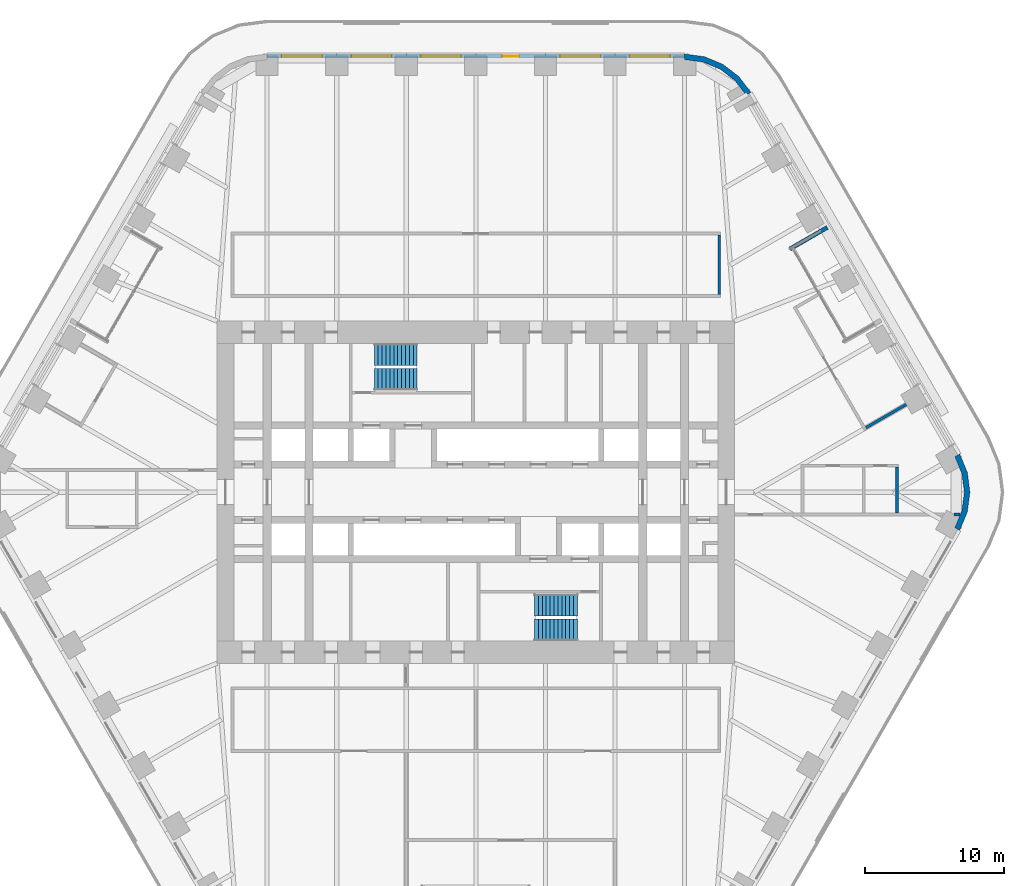
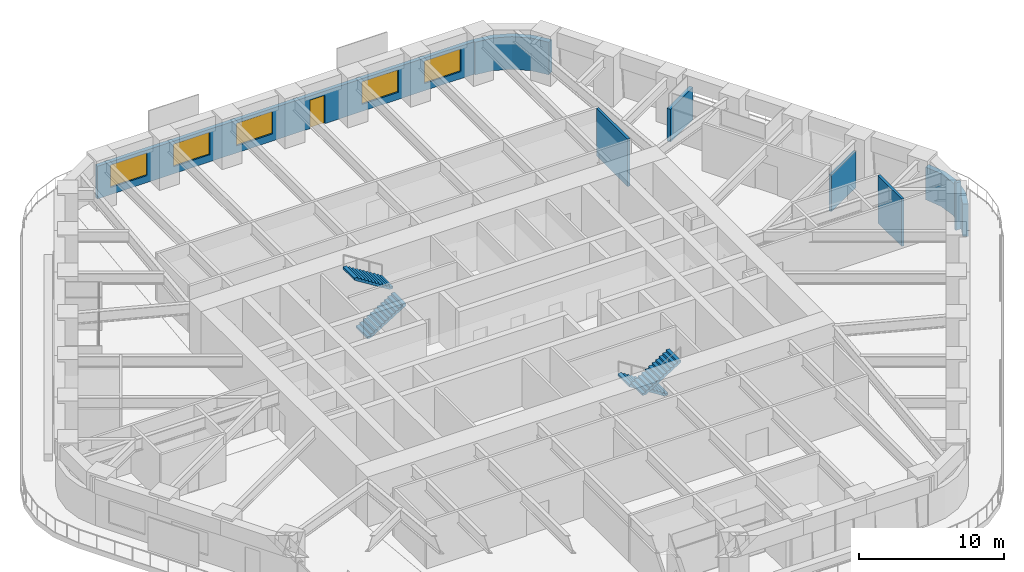
# One storey, part 21 of 24: 8 walls, 5 windows, 4 stair flights, 1 door, 6 openings, 2 elements without a shape of their own.
"""IFC4 building model written with IfcOpenShell, lengths in metres."""

from ifc_helpers import new_model, si_unit, direction, frame, frame_2d, origin, place, context, subcontext, project, spatial, polyline, rectangle, outline, extrude, material, layer, layer_set, type_object, element, fill, aggregate, save


model = new_model("IFC4")

# Units and contexts
model_context = context("Model", 3, precision=1e-05, world=origin(), true_north=direction((0.0, 1.0)))
body_context = subcontext(model_context, "Body", "Model", "MODEL_VIEW")
ifc_project = project(units=[si_unit("LENGTHUNIT", "METRE"), si_unit("AREAUNIT", "SQUARE_METRE"), si_unit("VOLUMEUNIT", "CUBIC_METRE"), si_unit("PLANEANGLEUNIT", "RADIAN"), si_unit("MASSUNIT", "GRAM", prefix="KILO")], contexts=[model_context])

# Site, building, storey
site_placement = place(None, origin())
site = spatial("IfcSite", under=ifc_project, at=site_placement, CompositionType="ELEMENT")
building_placement = place(site_placement, origin())
building = spatial("IfcBuilding", under=site, at=building_placement, Name="Tarfa Lantern Tower", CompositionType="ELEMENT")
storey_placement = place(building_placement, frame((0.0, 0.0, 178.300048828125)))
storey = spatial("IfcBuildingStorey", under=building, at=storey_placement, Name="L40", CompositionType="ELEMENT", Elevation=178.300048828125)

# Wall
ifc_material_1 = material(Name="Limestone cladding on blockwork", Category="masonry")
ifc_layer_1 = layer(ifc_material_1, 0.300048828125)
ifc_layer_set_1 = layer_set([ifc_layer_1], Name="EW1 STONE-CLAD WALL 300")
wall_type_1 = type_object("IfcWallType", Name="EW1 STONE-CLAD WALL 300", PredefinedType="SOLIDWALL", material=ifc_layer_set_1)
wall_1_placement = place(storey_placement, frame((25.266357421875, 19.037353515625, 0.0), z_axis=(0.0, 0.0, 1.0), x_axis=(-0.86600983753, -0.500026960575, 0.0)))
element("IfcWall", 1, at=wall_1_placement, inside=storey, type_object=wall_type_1, Name="Loggia return NE 2", PredefinedType="SOLIDWALL", context=body_context, shape_type="SweptSolid", body=[
    extrude(rectangle(XDim=3.099853515625, YDim=0.300048828125, at=frame_2d((1.5498046875, 0.0))), origin(), (0.0, 0.0, 1.0), 2.75),
])

# Wall, openings, door, windows
wall_2_placement = place(storey_placement, frame((15.010986328125, 31.35009765625, 0.0), z_axis=(0.0, 0.0, 1.0), x_axis=(-1.0, 0.0, 0.0)))
wall_2 = element("IfcWall", 2, at=wall_2_placement, inside=storey, type_object=wall_type_1, Name="Stone wall N", PredefinedType="SOLIDWALL", context=body_context, shape_type="SweptSolid", body=[
    extrude(rectangle(XDim=30.02197265625, YDim=0.300048828125, at=frame_2d((15.010986328125, 0.0))), origin(), (0.0, 0.0, 1.0), 2.75),
])
opening_1_placement = place(wall_2_placement, frame((1.0517578125, 0.0, 0.60009765625)))
opening_1 = element("IfcOpeningElement", 3, at=opening_1_placement, cuts=wall_2, Name="Opening W9", PredefinedType="OPENING", context=body_context, shape_type="SweptSolid", body=[
    extrude(rectangle(XDim=2.89990234375, YDim=1.89990234375, at=frame_2d((1.449951171875, 0.949951171875))), frame((0.0, 0.159912109375, 0.0), z_axis=(0.0, -1.0, 0.0), x_axis=(1.0, 0.0, 0.0)), (0.0, 0.0, 1.0), 0.320068359375),
])
opening_2_placement = place(wall_2_placement, frame((6.0556640625, 0.0, 0.60009765625)))
opening_2 = element("IfcOpeningElement", 4, at=opening_2_placement, cuts=wall_2, Name="Opening W9", PredefinedType="OPENING", context=body_context, shape_type="SweptSolid", body=[
    extrude(rectangle(XDim=2.89990234375, YDim=1.89990234375, at=frame_2d((1.449951171875, 0.949951171875))), frame((0.0, 0.159912109375, 0.0), z_axis=(0.0, -1.0, 0.0), x_axis=(1.0, 0.0, 0.0)), (0.0, 0.0, 1.0), 0.320068359375),
])
opening_3_placement = place(wall_2_placement, frame((11.9091796875, 0.0, 0.0)))
opening_3 = element("IfcOpeningElement", 5, at=opening_3_placement, cuts=wall_2, Name="Opening D45", PredefinedType="OPENING", context=body_context, shape_type="SweptSolid", body=[
    extrude(rectangle(XDim=1.199951171875, YDim=2.39990234375, at=frame_2d((0.60009765625, 1.199951171875))), frame((0.0, 0.159912109375, 0.0), z_axis=(0.0, -1.0, 0.0), x_axis=(1.0, 0.0, 0.0)), (0.0, 0.0, 1.0), 0.320068359375),
])
opening_4_placement = place(wall_2_placement, frame((16.06298828125, 0.0, 0.60009765625)))
opening_4 = element("IfcOpeningElement", 6, at=opening_4_placement, cuts=wall_2, Name="Opening W9", PredefinedType="OPENING", context=body_context, shape_type="SweptSolid", body=[
    extrude(rectangle(XDim=2.89990234375, YDim=1.89990234375, at=frame_2d((1.449951171875, 0.949951171875))), frame((0.0, 0.159912109375, 0.0), z_axis=(0.0, -1.0, 0.0), x_axis=(1.0, 0.0, 0.0)), (0.0, 0.0, 1.0), 0.320068359375),
])
opening_5_placement = place(wall_2_placement, frame((21.066650390625, 0.0, 0.60009765625)))
opening_5 = element("IfcOpeningElement", 7, at=opening_5_placement, cuts=wall_2, Name="Opening W9", PredefinedType="OPENING", context=body_context, shape_type="SweptSolid", body=[
    extrude(rectangle(XDim=2.89990234375, YDim=1.89990234375, at=frame_2d((1.449951171875, 0.949951171875))), frame((0.0, 0.159912109375, 0.0), z_axis=(0.0, -1.0, 0.0), x_axis=(1.0, 0.0, 0.0)), (0.0, 0.0, 1.0), 0.320068359375),
])
opening_6_placement = place(wall_2_placement, frame((26.0703125, 0.0, 0.60009765625)))
opening_6 = element("IfcOpeningElement", 8, at=opening_6_placement, cuts=wall_2, Name="Opening W9", PredefinedType="OPENING", context=body_context, shape_type="SweptSolid", body=[
    extrude(rectangle(XDim=2.89990234375, YDim=1.89990234375, at=frame_2d((1.449951171875, 0.949951171875))), frame((0.0, 0.159912109375, 0.0), z_axis=(0.0, -1.0, 0.0), x_axis=(1.0, 0.0, 0.0)), (0.0, 0.0, 1.0), 0.320068359375),
])
ifc_material_2 = material(Name="Aluminium framed glazed door", Category="aluminium")
door_type = type_object("IfcDoorType", Name="BE3 BALCONY DOOR 1200x2400", OperationType="SINGLE_SWING_RIGHT", PredefinedType="DOOR", material=ifc_material_2)
door_placement = place(opening_3_placement, origin())
door = element("IfcDoor", 9, at=door_placement, inside=storey, type_object=door_type, Name="Balcony door N", OperationType="SINGLE_SWING_RIGHT", OverallHeight=2.39990234375, OverallWidth=1.199951171875, PredefinedType="DOOR", context=body_context, shape_type="SweptSolid", body=[
    extrude(rectangle(XDim=1.199951171875, YDim=2.39990234375, at=frame_2d((0.60009765625, 1.199951171875))), frame((0.0, 0.02490234375, 0.0), z_axis=(0.0, -1.0, 0.0), x_axis=(1.0, 0.0, 0.0)), (0.0, 0.0, 1.0), 0.050048828125),
])
fill(opening_3, door)
ifc_material_3 = material(Name="Aluminium frame, double glazed", Category="aluminium")
window_type = type_object("IfcWindowType", Name="W9 FULL-HEIGHT GLAZING 2900x1900", PartitioningType="SINGLE_PANEL", PredefinedType="WINDOW", material=ifc_material_3)
window_1_placement = place(opening_1_placement, origin())
window_1 = element("IfcWindow", 10, at=window_1_placement, inside=storey, type_object=window_type, Name="Window N 1", OverallHeight=1.89990234375, OverallWidth=2.89990234375, PartitioningType="SINGLE_PANEL", PredefinedType="WINDOW", context=body_context, shape_type="SweptSolid", body=[
    extrude(rectangle(XDim=2.89990234375, YDim=1.89990234375, at=frame_2d((1.449951171875, 0.949951171875))), frame((0.0, 0.030029296875, 0.0), z_axis=(0.0, -1.0, 0.0), x_axis=(1.0, 0.0, 0.0)), (0.0, 0.0, 1.0), 0.06005859375),
])
fill(opening_1, window_1)
window_2_placement = place(opening_2_placement, origin())
window_2 = element("IfcWindow", 11, at=window_2_placement, inside=storey, type_object=window_type, Name="Window N 2", OverallHeight=1.89990234375, OverallWidth=2.89990234375, PartitioningType="SINGLE_PANEL", PredefinedType="WINDOW", context=body_context, shape_type="SweptSolid", body=[
    extrude(rectangle(XDim=2.89990234375, YDim=1.89990234375, at=frame_2d((1.449951171875, 0.949951171875))), frame((0.0, 0.030029296875, 0.0), z_axis=(0.0, -1.0, 0.0), x_axis=(1.0, 0.0, 0.0)), (0.0, 0.0, 1.0), 0.06005859375),
])
fill(opening_2, window_2)
window_3_placement = place(opening_4_placement, origin())
window_3 = element("IfcWindow", 12, at=window_3_placement, inside=storey, type_object=window_type, Name="Window N 4", OverallHeight=1.89990234375, OverallWidth=2.89990234375, PartitioningType="SINGLE_PANEL", PredefinedType="WINDOW", context=body_context, shape_type="SweptSolid", body=[
    extrude(rectangle(XDim=2.89990234375, YDim=1.89990234375, at=frame_2d((1.449951171875, 0.949951171875))), frame((0.0, 0.030029296875, 0.0), z_axis=(0.0, -1.0, 0.0), x_axis=(1.0, 0.0, 0.0)), (0.0, 0.0, 1.0), 0.06005859375),
])
fill(opening_4, window_3)
window_4_placement = place(opening_5_placement, origin())
window_4 = element("IfcWindow", 13, at=window_4_placement, inside=storey, type_object=window_type, Name="Window N 5", OverallHeight=1.89990234375, OverallWidth=2.89990234375, PartitioningType="SINGLE_PANEL", PredefinedType="WINDOW", context=body_context, shape_type="SweptSolid", body=[
    extrude(rectangle(XDim=2.89990234375, YDim=1.89990234375, at=frame_2d((1.449951171875, 0.949951171875))), frame((0.0, 0.030029296875, 0.0), z_axis=(0.0, -1.0, 0.0), x_axis=(1.0, 0.0, 0.0)), (0.0, 0.0, 1.0), 0.06005859375),
])
fill(opening_5, window_4)
window_5_placement = place(opening_6_placement, origin())
window_5 = element("IfcWindow", 14, at=window_5_placement, inside=storey, type_object=window_type, Name="Window N 6", OverallHeight=1.89990234375, OverallWidth=2.89990234375, PartitioningType="SINGLE_PANEL", PredefinedType="WINDOW", context=body_context, shape_type="SweptSolid", body=[
    extrude(rectangle(XDim=2.89990234375, YDim=1.89990234375, at=frame_2d((1.449951171875, 0.949951171875))), frame((0.0, 0.030029296875, 0.0), z_axis=(0.0, -1.0, 0.0), x_axis=(1.0, 0.0, 0.0)), (0.0, 0.0, 1.0), 0.06005859375),
])
fill(opening_6, window_5)

# Walls
ifc_layer_2 = layer(ifc_material_1, 0.39990234375)
ifc_layer_set_2 = layer_set([ifc_layer_2], Name="EW2 CURVED STONE CORNER 400")
wall_type_2 = type_object("IfcWallType", Name="EW2 CURVED STONE CORNER 400", PredefinedType="SOLIDWALL", material=ifc_layer_set_2)
wall_3_placement = place(storey_placement, origin())
element("IfcWall", 15, at=wall_3_placement, inside=storey, type_object=wall_type_2, Name="Stone corner NE-N", PredefinedType="SOLIDWALL", context=body_context, shape_type="SweptSolid", body=[
    extrude(outline(polyline([(19.774169921875, 28.75), (18.900146484375, 29.88916015625), (17.760986328125, 30.76318359375), (16.4345703125, 31.3125), (15.010986328125, 31.5), (15.010986328125, 31.10009765625), (16.3310546875, 30.92626953125), (17.56103515625, 30.416748046875), (18.617431640625, 29.606201171875), (19.427734375, 28.550048828125), (19.774169921875, 28.75)])), origin(), (0.0, 0.0, 1.0), 2.75),
])
wall_4_placement = place(storey_placement, origin())
element("IfcWall", 16, at=wall_4_placement, inside=storey, type_object=wall_type_2, Name="Stone corner SE-NE", PredefinedType="SOLIDWALL", context=body_context, shape_type="SweptSolid", body=[
    extrude(outline(polyline([(34.785400390625, -2.75), (35.334716796875, -1.423583984375), (35.522216796875, 0.0), (35.334716796875, 1.423583984375), (34.785400390625, 2.75), (34.43896484375, 2.550048828125), (34.948486328125, 1.320068359375), (35.122314453125, 0.0), (34.948486328125, -1.320068359375), (34.43896484375, -2.550048828125), (34.785400390625, -2.75)])), origin(), (0.0, 0.0, 1.0), 2.75),
])
ifc_material_4 = material(Name="Gypsum board on steel studs", Category="steel")
ifc_layer_3 = layer(ifc_material_4, 0.2099609375)
ifc_layer_set_3 = layer_set([ifc_layer_3], Name="IW2 ACOUSTIC PARTITION 200")
wall_type_3 = type_object("IfcWallType", Name="IW2 ACOUSTIC PARTITION 200", PredefinedType="PARTITIONING", material=ifc_layer_set_3)
wall_5_placement = place(storey_placement, frame((17.5, 14.199951171875, 0.0), z_axis=(0.0, 0.0, 1.0), x_axis=(0.0, 1.0, 0.0)))
element("IfcWall", 17, at=wall_5_placement, inside=storey, type_object=wall_type_3, Name="Partition", PredefinedType="PARTITIONING", context=body_context, shape_type="SweptSolid", body=[
    extrude(rectangle(XDim=4.300048828125, YDim=0.199951171875, at=frame_2d((2.14990234375, 0.0))), origin(), (0.0, 0.0, 1.0), 4.0),
])
wall_6_placement = place(storey_placement, frame((28.0400390625, 4.63330078125, 0.0), z_axis=(0.0, 0.0, 1.0), x_axis=(0.866014461049, 0.500018952895, 0.0)))
element("IfcWall", 18, at=wall_6_placement, inside=storey, type_object=wall_type_3, Name="Partition", PredefinedType="PARTITIONING", context=body_context, shape_type="SweptSolid", body=[
    extrude(rectangle(XDim=3.349853515625, YDim=0.199951171875, at=frame_2d((1.6748046875, 0.0))), origin(), (0.0, 0.0, 1.0), 3.08154296875),
])
wall_7_placement = place(storey_placement, frame((34.3935546875, -1.60009765625, 0.0), z_axis=(0.0, 0.0, 1.0), x_axis=(1.0, 0.0, 0.0)))
element("IfcWall", 19, at=wall_7_placement, inside=storey, type_object=wall_type_3, Name="Partition", PredefinedType="PARTITIONING", context=body_context, shape_type="SweptSolid", body=[
    extrude(rectangle(XDim=0.397705078125, YDim=0.199951171875, at=frame_2d((0.19873046875, 0.0))), origin(), (0.0, 0.0, 1.0), 4.0),
])
wall_8_placement = place(storey_placement, frame((30.28271484375, -1.5, 0.0), z_axis=(0.0, 0.0, 1.0), x_axis=(0.0, 1.0, 0.0)))
element("IfcWall", 20, at=wall_8_placement, inside=storey, type_object=wall_type_3, Name="Partition", PredefinedType="PARTITIONING", context=body_context, shape_type="SweptSolid", body=[
    extrude(rectangle(XDim=3.300048828125, YDim=0.199951171875, at=frame_2d((1.64990234375, 0.0))), origin(), (0.0, 0.0, 1.0), 4.0),
])

# Stair, stair flights
ifc_material_5 = material(Name="Concrete C40/50", Category="concrete")
stair_type = type_object("IfcStairType", Name="ST-T10 HALF-TURN STAIR 4200 RISE", PredefinedType="HALF_TURN_STAIR", material=ifc_material_5)
stair_1_placement = place(storey_placement, origin())
stair_1 = element("IfcStair", 21, at=stair_1_placement, inside=storey, type_object=stair_type, Name="Stair ST1", PredefinedType="HALF_TURN_STAIR")
stair_flight_type = type_object("IfcStairFlightType", Name="SF1 STAIR FLIGHT", PredefinedType="STRAIGHT", material=ifc_material_5)
stair_flight_1_placement = place(storey_placement, frame((-7.300048828125, 8.10009765625, 0.0), z_axis=(0.0, 0.0, 1.0), x_axis=(1.0, 0.0, 0.0)))
stair_flight_1 = element("IfcStairFlight", 22, at=stair_flight_1_placement, type_object=stair_flight_type, Name="ST1 flight 1", NumberOfRisers=12, NumberOfTreads=11, PredefinedType="STRAIGHT", RiserHeight=0.175, TreadLength=0.28, context=body_context, shape_type="SweptSolid", body=[
    extrude(outline(polyline([(0.0, 0.0), (0.0, 0.175048828125), (0.280029296875, 0.175048828125), (0.280029296875, 0.35009765625), (0.56005859375, 0.35009765625), (0.56005859375, 0.52490234375), (0.840087890625, 0.52490234375), (0.840087890625, 0.699951171875), (1.1201171875, 0.699951171875), (1.1201171875, 0.875), (1.39990234375, 0.875), (1.39990234375, 1.050048828125), (1.679931640625, 1.050048828125), (1.679931640625, 1.22509765625), (1.9599609375, 1.22509765625), (1.9599609375, 1.39990234375), (2.239990234375, 1.39990234375), (2.239990234375, 1.574951171875), (2.52001953125, 1.574951171875), (2.52001953125, 1.75), (2.800048828125, 1.75), (2.800048828125, 1.925048828125), (3.080078125, 1.925048828125), (3.080078125, 2.10009765625), (3.080078125, 1.748291015625), (0.28271484375, 0.0), (0.0, 0.0)])), frame((0.0, 0.800048828125, 0.0), z_axis=(0.0, -1.0, 0.0), x_axis=(1.0, 0.0, 0.0)), (0.0, 0.0, 1.0), 1.60009765625),
])
stair_flight_2_placement = place(storey_placement, frame((-4.219970703125, 9.89990234375, 2.099853515625), z_axis=(0.0, 0.0, 1.0), x_axis=(-1.0, 0.0, 0.0)))
stair_flight_2 = element("IfcStairFlight", 23, at=stair_flight_2_placement, type_object=stair_flight_type, Name="ST1 flight 2", NumberOfRisers=12, NumberOfTreads=11, PredefinedType="STRAIGHT", RiserHeight=0.175, TreadLength=0.28, context=body_context, shape_type="SweptSolid", body=[
    extrude(outline(polyline([(0.0, 0.0), (0.0, 0.175048828125), (0.280029296875, 0.175048828125), (0.280029296875, 0.35009765625), (0.56005859375, 0.35009765625), (0.56005859375, 0.52490234375), (0.840087890625, 0.52490234375), (0.840087890625, 0.699951171875), (1.1201171875, 0.699951171875), (1.1201171875, 0.875), (1.39990234375, 0.875), (1.39990234375, 1.050048828125), (1.679931640625, 1.050048828125), (1.679931640625, 1.22509765625), (1.9599609375, 1.22509765625), (1.9599609375, 1.39990234375), (2.239990234375, 1.39990234375), (2.239990234375, 1.574951171875), (2.52001953125, 1.574951171875), (2.52001953125, 1.75), (2.800048828125, 1.75), (2.800048828125, 1.925048828125), (3.080078125, 1.925048828125), (3.080078125, 2.10009765625), (3.080078125, 1.748291015625), (0.28271484375, 0.0), (0.0, 0.0)])), frame((0.0, 0.800048828125, 0.0), z_axis=(0.0, -1.0, 0.0), x_axis=(1.0, 0.0, 0.0)), (0.0, 0.0, 1.0), 1.60009765625),
])
aggregate(stair_1, [stair_flight_1, stair_flight_2])

stair_2_placement = place(storey_placement, origin())
stair_2 = element("IfcStair", 24, at=stair_2_placement, inside=storey, type_object=stair_type, Name="Stair ST2", PredefinedType="HALF_TURN_STAIR")
stair_flight_3_placement = place(storey_placement, frame((7.300048828125, -8.10009765625, 0.0), z_axis=(0.0, 0.0, 1.0), x_axis=(-1.0, 0.0, 0.0)))
stair_flight_3 = element("IfcStairFlight", 25, at=stair_flight_3_placement, type_object=stair_flight_type, Name="ST2 flight 1", NumberOfRisers=12, NumberOfTreads=11, PredefinedType="STRAIGHT", RiserHeight=0.175, TreadLength=0.28, context=body_context, shape_type="SweptSolid", body=[
    extrude(outline(polyline([(0.0, 0.0), (0.0, 0.175048828125), (0.280029296875, 0.175048828125), (0.280029296875, 0.35009765625), (0.56005859375, 0.35009765625), (0.56005859375, 0.52490234375), (0.840087890625, 0.52490234375), (0.840087890625, 0.699951171875), (1.1201171875, 0.699951171875), (1.1201171875, 0.875), (1.39990234375, 0.875), (1.39990234375, 1.050048828125), (1.679931640625, 1.050048828125), (1.679931640625, 1.22509765625), (1.9599609375, 1.22509765625), (1.9599609375, 1.39990234375), (2.239990234375, 1.39990234375), (2.239990234375, 1.574951171875), (2.52001953125, 1.574951171875), (2.52001953125, 1.75), (2.800048828125, 1.75), (2.800048828125, 1.925048828125), (3.080078125, 1.925048828125), (3.080078125, 2.10009765625), (3.080078125, 1.748291015625), (0.28271484375, 0.0), (0.0, 0.0)])), frame((0.0, 0.800048828125, 0.0), z_axis=(0.0, -1.0, 0.0), x_axis=(1.0, 0.0, 0.0)), (0.0, 0.0, 1.0), 1.60009765625),
])
stair_flight_4_placement = place(storey_placement, frame((4.219970703125, -9.89990234375, 2.099853515625), z_axis=(0.0, 0.0, 1.0), x_axis=(1.0, 0.0, 0.0)))
stair_flight_4 = element("IfcStairFlight", 26, at=stair_flight_4_placement, type_object=stair_flight_type, Name="ST2 flight 2", NumberOfRisers=12, NumberOfTreads=11, PredefinedType="STRAIGHT", RiserHeight=0.175, TreadLength=0.28, context=body_context, shape_type="SweptSolid", body=[
    extrude(outline(polyline([(0.0, 0.0), (0.0, 0.175048828125), (0.280029296875, 0.175048828125), (0.280029296875, 0.35009765625), (0.56005859375, 0.35009765625), (0.56005859375, 0.52490234375), (0.840087890625, 0.52490234375), (0.840087890625, 0.699951171875), (1.1201171875, 0.699951171875), (1.1201171875, 0.875), (1.39990234375, 0.875), (1.39990234375, 1.050048828125), (1.679931640625, 1.050048828125), (1.679931640625, 1.22509765625), (1.9599609375, 1.22509765625), (1.9599609375, 1.39990234375), (2.239990234375, 1.39990234375), (2.239990234375, 1.574951171875), (2.52001953125, 1.574951171875), (2.52001953125, 1.75), (2.800048828125, 1.75), (2.800048828125, 1.925048828125), (3.080078125, 1.925048828125), (3.080078125, 2.10009765625), (3.080078125, 1.748291015625), (0.28271484375, 0.0), (0.0, 0.0)])), frame((0.0, 0.800048828125, 0.0), z_axis=(0.0, -1.0, 0.0), x_axis=(1.0, 0.0, 0.0)), (0.0, 0.0, 1.0), 1.60009765625),
])
aggregate(stair_2, [stair_flight_3, stair_flight_4])

save(model, "model.ifc")
